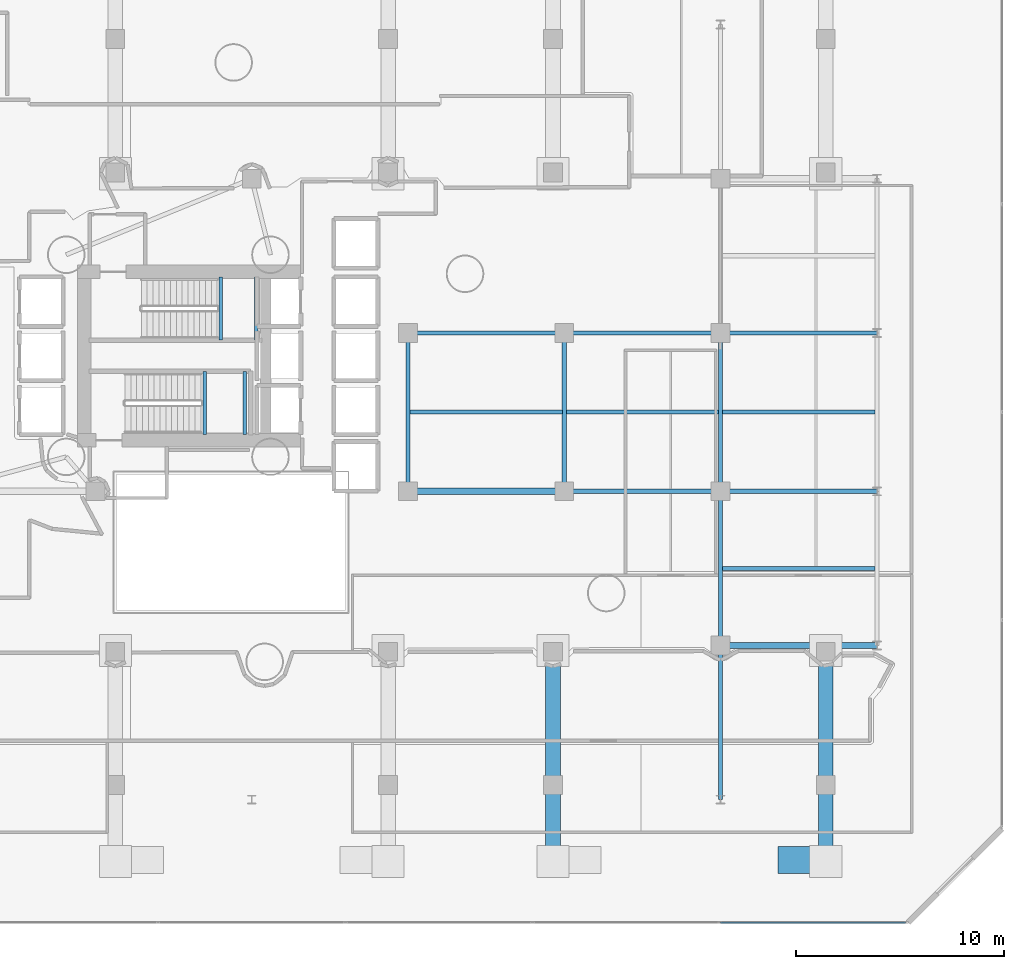
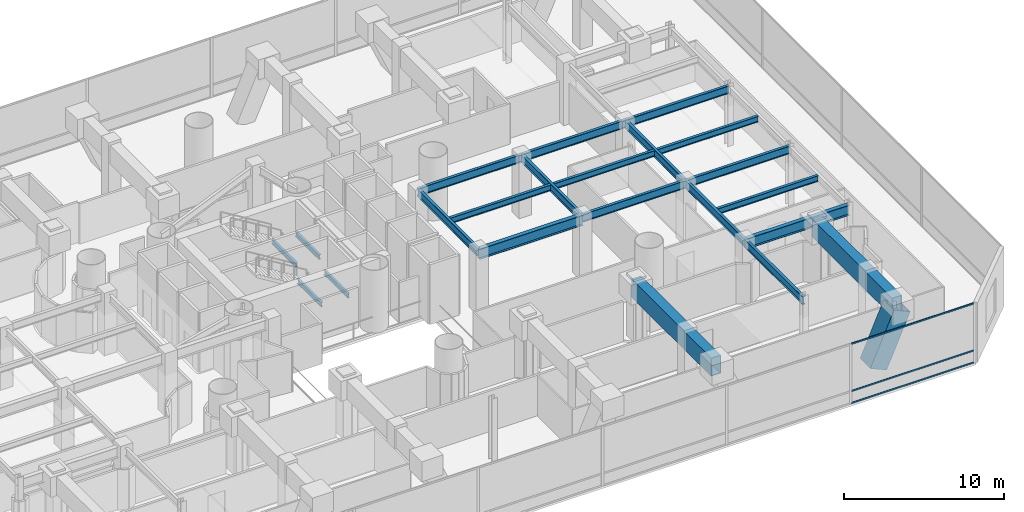
# One storey, part 14 of 45: 22 beams, 4 members, 1 element without a shape of its own.
"""IFC4 building model written with IfcOpenShell, lengths in metres."""

from ifc_helpers import new_model, si_unit, direction, frame, origin, origin_2d, place, context, subcontext, project, spatial, hollow_rectangle, i_section, extrude, material, layer, layer_set, material_profile, profile_set, type_object, element, aggregate, save


model = new_model("IFC4")

# Units and contexts
model_context = context("Model", 3, precision=1e-05, world=origin(), true_north=direction((0.0, 1.0)))
body_context = subcontext(model_context, "Body", "Model", "MODEL_VIEW")
ifc_project = project(units=[si_unit("LENGTHUNIT", "METRE"), si_unit("AREAUNIT", "SQUARE_METRE"), si_unit("VOLUMEUNIT", "CUBIC_METRE"), si_unit("PLANEANGLEUNIT", "RADIAN"), si_unit("MASSUNIT", "GRAM", prefix="KILO")], contexts=[model_context])

# Site, building, storey
site_placement = place(None, origin())
site = spatial("IfcSite", under=ifc_project, at=site_placement, CompositionType="ELEMENT")
building_placement = place(site_placement, origin())
building = spatial("IfcBuilding", under=site, at=building_placement, Name="Qianvela Tower", CompositionType="ELEMENT")
storey_placement = place(building_placement, frame((0.0, 0.0, 11.0)))
storey = spatial("IfcBuildingStorey", under=building, at=storey_placement, Name="L02", CompositionType="ELEMENT", Elevation=11.0)

# Beams
ifc_material_1 = material(Name="Steel Q355B", Category="steel")
ifc_material_profile_1 = material_profile(ifc_material_1, i_section(OverallWidth=0.175048828125, OverallDepth=0.35009765625, WebThickness=0.007080078125, FlangeThickness=0.010986328125, at=origin_2d()), Name="HN350x175x7x11")
ifc_profile_set_1 = profile_set([ifc_material_profile_1], Name="Steel Q355B")
beam_type_1 = type_object("IfcBeamType", Name="BM-HN350-JOIST", PredefinedType="JOIST", material=ifc_profile_set_1)
for number, where, z_axis, x_axis, name in (
    (1, (36.02001953125, 29.4599609375, 2.02490234375), (0.0, 1.0, 0.0), (-1.0, 0.0, 0.0), "L02 Stair ST-1 Landing Support Beam 1.1"),
    (2, (37.719970703125, 29.4599609375, 2.02490234375), (0.0, 1.0, 0.0), (-1.0, 0.0, 0.0), "L02 Stair ST-1 Landing Support Beam 1.2"),
    (3, (35.239990234375, 24.919921875, 2.02490234375), (0.0, 1.0, 0.0), (-1.0, 0.0, 0.0), "L02 Stair ST-2 Landing Support Beam 1.1"),
    (4, (37.169921875, 24.919921875, 2.02490234375), (0.0, 1.0, 0.0), (-1.0, 0.0, 0.0), "L02 Stair ST-2 Landing Support Beam 1.2"),
):
    element("IfcBeam", number, at=place(storey_placement, frame(where, z_axis=z_axis, x_axis=x_axis)), inside=storey, type_object=beam_type_1, Name=name, PredefinedType="JOIST", context=body_context, shape_type="SweptSolid", body=[
        extrude(i_section(OverallWidth=0.175048828125, OverallDepth=0.35009765625, WebThickness=0.007080078125, FlangeThickness=0.010986328125, at=origin_2d()), origin(), (0.0, 0.0, 1.0), 3.02001953125),
    ])
ifc_material_2 = material(Name="Steel Q355B", Category="steel")
ifc_material_profile_2 = material_profile(ifc_material_2, i_section(OverallWidth=0.199951171875, OverallDepth=0.449951171875, WebThickness=0.009033203125, FlangeThickness=0.013916015625, at=origin_2d()), Name="HN450x200x9x14")
ifc_profile_set_2 = profile_set([ifc_material_profile_2], Name="Steel Q355B")
beam_type_2 = type_object("IfcBeamType", Name="BM-HN450-JOIST", PredefinedType="JOIST", material=ifc_profile_set_2)
for number, where, z_axis, x_axis, name in (
    (5, (45.095947265625, 26.0, 4.35302734375), (1.0, 0.0, 0.0), (0.0, 1.0, 0.0), "L02 Secondary Floor Joist 46"),
    (6, (52.595947265625, 26.0, 4.35302734375), (1.0, 0.0, 0.0), (0.0, 1.0, 0.0), "L02 Secondary Floor Joist 47"),
    (7, (60.095947265625, 18.5, 4.35302734375), (1.0, 0.0, 0.0), (0.0, 1.0, 0.0), "L02 Secondary Floor Joist 48"),
    (8, (60.095947265625, 26.0, 4.35302734375), (1.0, 0.0, 0.0), (0.0, 1.0, 0.0), "L02 Secondary Floor Joist 49"),
):
    element("IfcBeam", number, at=place(storey_placement, frame(where, z_axis=z_axis, x_axis=x_axis)), inside=storey, type_object=beam_type_2, Name=name, PredefinedType="JOIST", context=body_context, shape_type="SweptSolid", body=[
        extrude(i_section(OverallWidth=0.199951171875, OverallDepth=0.449951171875, WebThickness=0.009033203125, FlangeThickness=0.013916015625, at=origin_2d()), origin(), (0.0, 0.0, 1.0), 7.30810546875),
    ])
ifc_material_3 = material(Name="Steel Q355B", Category="steel")
ifc_material_profile_3 = material_profile(ifc_material_3, i_section(OverallWidth=0.199951171875, OverallDepth=0.60009765625, WebThickness=0.010986328125, FlangeThickness=0.01708984375, at=origin_2d()), Name="HN600x200x11x17")
ifc_profile_set_3 = profile_set([ifc_material_profile_3], Name="Steel Q355B")
beam_type_3 = type_object("IfcBeamType", Name="BM-HN600-GIRD", PredefinedType="BEAM", material=ifc_profile_set_3)
for number, where, z_axis, x_axis, name in (
    (9, (52.5, 22.199951171875, 4.278076171875), (1.0, 0.0, 0.0), (0.0, 1.0, 0.0), "L02 East-West Grid Girder 7"),
    (10, (60.0, 22.199951171875, 4.278076171875), (1.0, 0.0, 0.0), (0.0, 1.0, 0.0), "L02 East-West Grid Girder 8"),
    (11, (45.0, 29.800048828125, 4.278076171875), (1.0, 0.0, 0.0), (0.0, 1.0, 0.0), "L02 East-West Grid Girder 11"),
    (12, (52.5, 29.800048828125, 4.278076171875), (1.0, 0.0, 0.0), (0.0, 1.0, 0.0), "L02 East-West Grid Girder 12"),
    (13, (60.0, 29.800048828125, 4.278076171875), (1.0, 0.0, 0.0), (0.0, 1.0, 0.0), "L02 East-West Grid Girder 13"),
):
    element("IfcBeam", number, at=place(storey_placement, frame(where, z_axis=z_axis, x_axis=x_axis)), inside=storey, type_object=beam_type_3, Name=name, PredefinedType="BEAM", context=body_context, shape_type="SweptSolid", body=[
        extrude(i_section(OverallWidth=0.199951171875, OverallDepth=0.60009765625, WebThickness=0.010986328125, FlangeThickness=0.01708984375, at=origin_2d()), origin(), (0.0, 0.0, 1.0), 7.5),
    ])
for number, where, z_axis, x_axis, name in (
    (14, (45.0, 22.199951171875, 4.278076171875), (0.0, 1.0, 0.0), (-1.0, 0.0, 0.0), "L02 North-South Grid Girder 25"),
    (15, (52.5, 22.199951171875, 4.278076171875), (0.0, 1.0, 0.0), (-1.0, 0.0, 0.0), "L02 North-South Grid Girder 26"),
):
    element("IfcBeam", number, at=place(storey_placement, frame(where, z_axis=z_axis, x_axis=x_axis)), inside=storey, type_object=beam_type_3, Name=name, PredefinedType="BEAM", context=body_context, shape_type="SweptSolid", body=[
        extrude(i_section(OverallWidth=0.199951171875, OverallDepth=0.60009765625, WebThickness=0.010986328125, FlangeThickness=0.01708984375, at=origin_2d()), origin(), (0.0, 0.0, 1.0), 7.60009765625),
    ])
beam_1_placement = place(storey_placement, frame((60.0, 7.39990234375, 4.278076171875), z_axis=(0.0, 1.0, 0.0), x_axis=(-1.0, 0.0, 0.0)))
element("IfcBeam", 16, at=beam_1_placement, inside=storey, type_object=beam_type_3, Name="L02 North-South Grid Girder 27", PredefinedType="BEAM", context=body_context, shape_type="SweptSolid", body=[
    extrude(i_section(OverallWidth=0.199951171875, OverallDepth=0.60009765625, WebThickness=0.010986328125, FlangeThickness=0.01708984375, at=origin_2d()), origin(), (0.0, 0.0, 1.0), 7.400146484375),
])
beam_2_placement = place(storey_placement, frame((60.0, 14.800048828125, 4.278076171875), z_axis=(0.0, 1.0, 0.0), x_axis=(-1.0, 0.0, 0.0)))
element("IfcBeam", 17, at=beam_2_placement, inside=storey, type_object=beam_type_3, Name="L02 North-South Grid Girder 28", PredefinedType="BEAM", context=body_context, shape_type="SweptSolid", body=[
    extrude(i_section(OverallWidth=0.199951171875, OverallDepth=0.60009765625, WebThickness=0.010986328125, FlangeThickness=0.01708984375, at=origin_2d()), origin(), (0.0, 0.0, 1.0), 7.39990234375),
])
beam_3_placement = place(storey_placement, frame((60.0, 22.199951171875, 4.278076171875), z_axis=(0.0, 1.0, 0.0), x_axis=(-1.0, 0.0, 0.0)))
element("IfcBeam", 18, at=beam_3_placement, inside=storey, type_object=beam_type_3, Name="L02 North-South Grid Girder 29", PredefinedType="BEAM", context=body_context, shape_type="SweptSolid", body=[
    extrude(i_section(OverallWidth=0.199951171875, OverallDepth=0.60009765625, WebThickness=0.010986328125, FlangeThickness=0.01708984375, at=origin_2d()), origin(), (0.0, 0.0, 1.0), 7.60009765625),
])
ifc_material_4 = material(Name="Steel Q355B", Category="steel")
ifc_material_profile_4 = material_profile(ifc_material_4, i_section(OverallWidth=0.300048828125, OverallDepth=0.800048828125, WebThickness=0.013916015625, FlangeThickness=0.02587890625, at=origin_2d()), Name="HN800x300x14x26")
ifc_profile_set_4 = profile_set([ifc_material_profile_4], Name="Steel Q355B")
beam_type_4 = type_object("IfcBeamType", Name="BM-HN800-SPAND", PredefinedType="SPANDREL", material=ifc_profile_set_4)
for number, where, z_axis, x_axis, name in (
    (19, (60.0, 14.800048828125, 4.177978515625), (1.0, 0.0, 0.0), (0.0, 1.0, 0.0), "L02 East-West Grid Girder 2"),
    (20, (45.0, 22.199951171875, 4.177978515625), (1.0, 0.0, 0.0), (0.0, 1.0, 0.0), "L02 East-West Grid Girder 6"),
):
    element("IfcBeam", number, at=place(storey_placement, frame(where, z_axis=z_axis, x_axis=x_axis)), inside=storey, type_object=beam_type_4, Name=name, PredefinedType="SPANDREL", context=body_context, shape_type="SweptSolid", body=[
        extrude(i_section(OverallWidth=0.300048828125, OverallDepth=0.800048828125, WebThickness=0.013916015625, FlangeThickness=0.02587890625, at=origin_2d()), origin(), (0.0, 0.0, 1.0), 7.5),
    ])
ifc_material_5 = material(Name="Steel Q420GJC", Category="steel")
ifc_material_profile_5 = material_profile(ifc_material_5, hollow_rectangle(XDim=0.699951171875, YDim=1.39990234375, WallThickness=0.0400390625, at=origin_2d()), Name="TG-BOX-1400x700x40")
ifc_profile_set_5 = profile_set([ifc_material_profile_5], Name="Steel Q420GJC")
beam_type_5 = type_object("IfcBeamType", Name="BM-TG-STEP-1400", PredefinedType="BEAM", material=ifc_profile_set_5)
for number, where, z_axis, x_axis, name in (
    (21, (51.955322265625, 14.5, 3.8779296875), (0.0, -1.0, 0.0), (1.0, 0.0, 0.0), "L02 Concourse V-Cap Transfer Girder VC-S3-L"),
    (22, (65.044677734375, 14.5, 3.8779296875), (0.0, -1.0, 0.0), (1.0, 0.0, 0.0), "L02 Concourse V-Cap Transfer Girder VC-S3-R"),
):
    element("IfcBeam", number, at=place(storey_placement, frame(where, z_axis=z_axis, x_axis=x_axis)), inside=storey, type_object=beam_type_5, Name=name, PredefinedType="BEAM", context=body_context, shape_type="SweptSolid", body=[
        extrude(hollow_rectangle(XDim=0.699951171875, YDim=1.39990234375, WallThickness=0.0400390625, at=origin_2d()), origin(), (0.0, 0.0, 1.0), 10.0),
    ])

# Curtain wall, members
ifc_material_6 = material(Name="Anodised Architectural Aluminium and Low-E Glass", Category="aluminium")
ifc_layer = layer(ifc_material_6, 0.179931640625)
ifc_layer_set = layer_set([ifc_layer], Name="Anodised Architectural Aluminium and Low-E Glass")
curtain_wall_type = type_object("IfcCurtainWallType", Name="CW-COMMONS", PredefinedType="USERDEFINED", material=ifc_layer_set)
curtain_wall_placement = place(storey_placement, origin())
curtain_wall = element("IfcCurtainWall", 23, at=curtain_wall_placement, inside=storey, type_object=curtain_wall_type, Name="L02 CW-COMMONS Curtain Wall 01", ObjectType="CURTAIN_WALL_SYSTEM", PredefinedType="USERDEFINED")
ifc_material_7 = material(Name="Anodised Architectural Aluminium 6063-T6", Category="aluminium")
ifc_material_profile_6 = material_profile(ifc_material_7, hollow_rectangle(XDim=0.06005859375, YDim=0.114990234375, WallThickness=0.00390625, at=origin_2d()), Name="ALU-TRAN-60x115")
ifc_profile_set_6 = profile_set([ifc_material_profile_6], Name="Anodised Architectural Aluminium 6063-T6")
member_type_1 = type_object("IfcMemberType", Name="CW-COMMONS-TRAN", PredefinedType="USERDEFINED", material=ifc_profile_set_6)
member_1_placement = place(storey_placement, frame((59.999267578125, 1.5, 0.030029296875), z_axis=(1.0, 0.0, 0.0), x_axis=(0.0, 1.0, 0.0)))
member_1 = element("IfcMember", 24, at=member_1_placement, type_object=member_type_1, Name="CW-2 transom 7.1", ObjectType="TRANSOM", PredefinedType="USERDEFINED", context=body_context, shape_type="SweptSolid", body=[
    extrude(hollow_rectangle(XDim=0.06005859375, YDim=0.114990234375, WallThickness=0.00390625, at=origin_2d()), origin(), (0.0, 0.0, 1.0), 8.880615234375),
])
member_2_placement = place(storey_placement, frame((59.999267578125, 1.5, 0.949951171875), z_axis=(1.0, 0.0, 0.0), x_axis=(0.0, 1.0, 0.0)))
member_2 = element("IfcMember", 25, at=member_2_placement, type_object=member_type_1, Name="CW-2 transom 7.2", ObjectType="TRANSOM", PredefinedType="USERDEFINED", context=body_context, shape_type="SweptSolid", body=[
    extrude(hollow_rectangle(XDim=0.06005859375, YDim=0.114990234375, WallThickness=0.00390625, at=origin_2d()), origin(), (0.0, 0.0, 1.0), 8.880615234375),
])
member_3_placement = place(storey_placement, frame((59.999267578125, 1.5, 4.550048828125), z_axis=(1.0, 0.0, 0.0), x_axis=(0.0, 1.0, 0.0)))
member_3 = element("IfcMember", 26, at=member_3_placement, type_object=member_type_1, Name="CW-2 transom 7.3", ObjectType="TRANSOM", PredefinedType="USERDEFINED", context=body_context, shape_type="SweptSolid", body=[
    extrude(hollow_rectangle(XDim=0.06005859375, YDim=0.114990234375, WallThickness=0.00390625, at=origin_2d()), origin(), (0.0, 0.0, 1.0), 8.880615234375),
])
aggregate(curtain_wall, [member_1, member_2, member_3])

# Member
ifc_material_8 = material(Name="Steel Q420GJC", Category="steel")
ifc_material_profile_7 = material_profile(ifc_material_8, hollow_rectangle(XDim=1.300048828125, YDim=1.300048828125, WallThickness=0.044921875, at=origin_2d()), Name="VBOX-1300x1300x45")
ifc_profile_set_7 = profile_set([ifc_material_profile_7], Name="Steel Q420GJC")
member_type_2 = type_object("IfcMemberType", Name="MBR-VCOL-1300", PredefinedType="POST", material=ifc_profile_set_7)
member_4_placement = place(storey_placement, frame((63.338623046875, 4.5, 0.0), z_axis=(0.402692265556, 0.0, 0.915335424455), x_axis=(0.0, 1.0, 0.0)))
element("IfcMember", 27, at=member_4_placement, inside=storey, type_object=member_type_2, Name="L02 Concourse Inclined V-Column VC-S3 Leg R", PredefinedType="POST", context=body_context, shape_type="SweptSolid", body=[
    extrude(hollow_rectangle(XDim=1.300048828125, YDim=1.300048828125, WallThickness=0.044921875, at=origin_2d()), origin(), (0.0, 0.0, 1.0), 4.236572265625),
])

save(model, "model.ifc")
